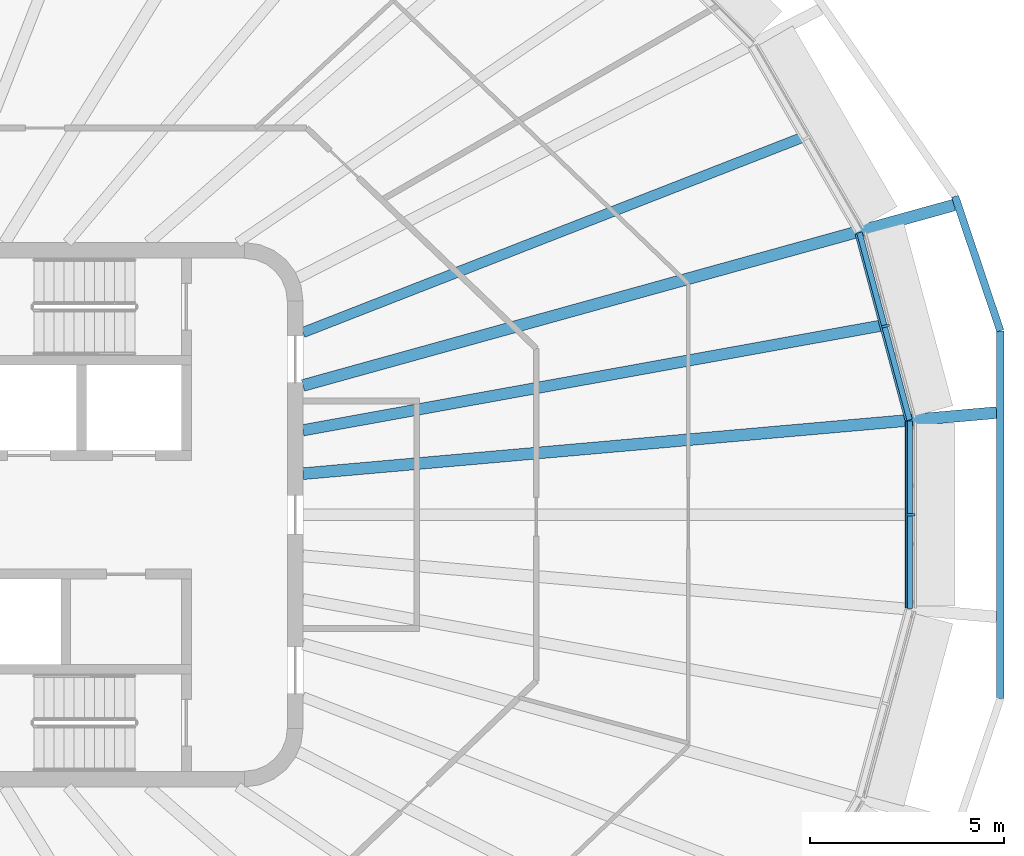
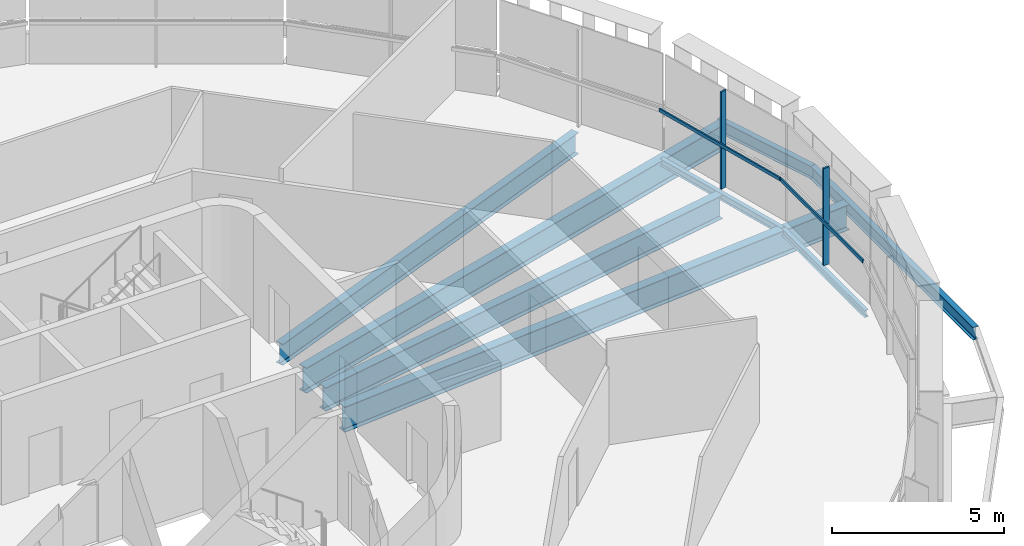
# One storey, part 5 of 18: 8 beams, 4 members, 2 elements without a shape of their own.
"""IFC4 building model written with IfcOpenShell, lengths in metres."""

from ifc_helpers import new_model, si_unit, direction, frame, origin, origin_2d, place, context, subcontext, project, spatial, rectangle, i_section, extrude, material, layer, layer_set, material_profile, profile_set, type_object, element, aggregate, save


model = new_model("IFC4")

# Units and contexts
model_context = context("Model", 3, precision=1e-05, world=origin(), true_north=direction((0.0, 1.0)))
body_context = subcontext(model_context, "Body", "Model", "MODEL_VIEW")
ifc_project = project(units=[si_unit("LENGTHUNIT", "METRE"), si_unit("AREAUNIT", "SQUARE_METRE"), si_unit("VOLUMEUNIT", "CUBIC_METRE"), si_unit("PLANEANGLEUNIT", "RADIAN"), si_unit("MASSUNIT", "GRAM", prefix="KILO")], contexts=[model_context])

# Site, building, storey
site_placement = place(None, origin())
site = spatial("IfcSite", under=ifc_project, at=site_placement, CompositionType="ELEMENT")
building_placement = place(site_placement, origin())
building = spatial("IfcBuilding", under=site, at=building_placement, Name="Sahrelin Media Tower", CompositionType="ELEMENT")
storey_placement = place(building_placement, frame((0.0, 0.0, 295.0)))
storey = spatial("IfcBuildingStorey", under=building, at=storey_placement, Name="L65", CompositionType="ELEMENT", Elevation=295.0)

# Beams
ifc_material_1 = material(Name="Steel S355", Category="steel")
ifc_material_profile_1 = material_profile(ifc_material_1, i_section(OverallWidth=0.14599609375, OverallDepth=0.25146484375, WebThickness=0.006103515625, FlangeThickness=0.008544921875, FilletRadius=0.007568359375, at=origin_2d()), Name="UB 254x146x31")
ifc_profile_set_1 = profile_set([ifc_material_profile_1], Name="Steel S355")
beam_type_1 = type_object("IfcBeamType", Name="Edge beam EB1", PredefinedType="BEAM", material=ifc_profile_set_1)
beam_1_placement = place(storey_placement, frame((27.606689453125, 2.409912109375, -0.275634765625), z_axis=(0.0, -1.0, 0.0), x_axis=(1.0, 0.0, 0.0)))
element("IfcBeam", 1, at=beam_1_placement, inside=storey, type_object=beam_type_1, Name="Edge beam L65-01", PredefinedType="BEAM", context=body_context, shape_type="SweptSolid", body=[
    extrude(i_section(OverallWidth=0.14599609375, OverallDepth=0.25146484375, WebThickness=0.006103515625, FlangeThickness=0.008544921875, FilletRadius=0.007568359375, at=origin_2d()), origin(), (0.0, 0.0, 1.0), 4.81982421875),
])
beam_2_placement = place(storey_placement, frame((26.3115234375, 7.257568359375, -0.275634765625), z_axis=(0.258816802919, -0.965926427078, 0.0), x_axis=(0.965926427078, 0.258816802919, 0.0)))
element("IfcBeam", 2, at=beam_2_placement, inside=storey, type_object=beam_type_1, Name="Edge beam L65-24", PredefinedType="BEAM", context=body_context, shape_type="SweptSolid", body=[
    extrude(i_section(OverallWidth=0.14599609375, OverallDepth=0.25146484375, WebThickness=0.006103515625, FlangeThickness=0.008544921875, FilletRadius=0.007568359375, at=origin_2d()), origin(), (0.0, 0.0, 1.0), 4.989013671875),
])

# Curtain wall, member
ifc_material_2 = material(Name="Champagne anodised aluminium 6063-T6", Category="aluminium")
ifc_layer = layer(ifc_material_2, 0.14990234375)
ifc_layer_set = layer_set([ifc_layer], Name="Tower ribbon curtain wall")
curtain_wall_type = type_object("IfcCurtainWallType", Name="Tower ribbon curtain wall", PredefinedType="NOTDEFINED", material=ifc_layer_set)
curtain_wall_1_placement = place(storey_placement, frame((27.756591796875, 0.0, 0.0), z_axis=(0.0, 0.0, 1.0), x_axis=(1.0, 0.0, 0.0)))
curtain_wall_1 = element("IfcCurtainWall", 3, at=curtain_wall_1_placement, inside=storey, type_object=curtain_wall_type, Name="L65:CW:L65-00", PredefinedType="NOTDEFINED")
ifc_material_profile_2 = material_profile(ifc_material_2, rectangle(XDim=0.06005859375, YDim=0.199951171875, at=origin_2d()), Name="Mullion 60x200")
ifc_profile_set_2 = profile_set([ifc_material_profile_2], Name="Champagne anodised aluminium 6063-T6")
member_type_1 = type_object("IfcMemberType", Name="Mullion 60x200 CW1C", PredefinedType="MULLION", material=ifc_profile_set_2)
member_1_placement = place(storey_placement, frame((27.63671875, 0.0, 0.0), z_axis=(0.0, 0.0, 1.0), x_axis=(0.0, 1.0, 0.0)))
member_1 = element("IfcMember", 4, at=member_1_placement, type_object=member_type_1, Name="L65:CWM:L65-00", PredefinedType="MULLION", context=body_context, shape_type="SweptSolid", body=[
    extrude(rectangle(XDim=0.06005859375, YDim=0.199951171875, at=origin_2d()), origin(), (0.0, 0.0, 1.0), 3.448486328125),
])

curtain_wall_2_placement = place(storey_placement, frame((27.10205078125, 4.88671875, 0.0), z_axis=(0.0, 0.0, 1.0), x_axis=(1.0, 0.0, 0.0)))
curtain_wall_2 = element("IfcCurtainWall", 5, at=curtain_wall_2_placement, inside=storey, type_object=curtain_wall_type, Name="L65:CW:L65-01", PredefinedType="NOTDEFINED")
member_2_placement = place(storey_placement, frame((26.986083984375, 4.855712890625, 0.0), z_axis=(0.0, 0.0, 1.0), x_axis=(-0.258817359244, 0.965926278012, 0.0)))
member_2 = element("IfcMember", 6, at=member_2_placement, type_object=member_type_1, Name="L65:CWM:L65-01", PredefinedType="MULLION", context=body_context, shape_type="SweptSolid", body=[
    extrude(rectangle(XDim=0.06005859375, YDim=0.199951171875, at=origin_2d()), origin(), (0.0, 0.0, 1.0), 3.448486328125),
])

# Beams
ifc_material_profile_3 = material_profile(ifc_material_1, i_section(OverallWidth=0.30322265625, OverallDepth=0.903076171875, WebThickness=0.01513671875, FlangeThickness=0.020263671875, FilletRadius=0.01904296875, at=origin_2d()), Name="UB 914x305x201")
ifc_profile_set_3 = profile_set([ifc_material_profile_3], Name="Steel S355")
beam_type_2 = type_object("IfcBeamType", Name="Radial primary beam PB11", PredefinedType="BEAM", material=ifc_profile_set_3)
beam_3_placement = place(storey_placement, frame((12.0, 1.056640625, -0.6015625), z_axis=(0.996145419637, 0.087717175831, 0.0), x_axis=(-0.087717175831, 0.996145419637, 0.0)))
element("IfcBeam", 7, at=beam_3_placement, inside=storey, type_object=beam_type_2, Name="Radial beam L65-01", PredefinedType="BEAM", context=body_context, shape_type="SweptSolid", body=[
    extrude(i_section(OverallWidth=0.30322265625, OverallDepth=0.903076171875, WebThickness=0.01513671875, FlangeThickness=0.020263671875, FilletRadius=0.01904296875, at=origin_2d()), origin(), (0.0, 0.0, 1.0), 17.910400390625),
])
beam_4_placement = place(storey_placement, frame((12.0, 3.32568359375, -0.6015625), z_axis=(0.963677748892, 0.267067774713, 0.0), x_axis=(-0.267067774713, 0.963677748892, 0.0)))
element("IfcBeam", 8, at=beam_4_placement, inside=storey, type_object=beam_type_2, Name="Radial beam L65-02", PredefinedType="BEAM", context=body_context, shape_type="SweptSolid", body=[
    extrude(i_section(OverallWidth=0.30322265625, OverallDepth=0.903076171875, WebThickness=0.01513671875, FlangeThickness=0.020263671875, FilletRadius=0.01904296875, at=origin_2d()), origin(), (0.0, 0.0, 1.0), 17.3779296875),
])
ifc_material_profile_4 = material_profile(ifc_material_1, i_section(OverallWidth=0.291748046875, OverallDepth=0.8349609375, WebThickness=0.013916015625, FlangeThickness=0.018798828125, FilletRadius=0.017822265625, at=origin_2d()), Name="UB 838x292x176")
ifc_profile_set_4 = profile_set([ifc_material_profile_4], Name="Steel S355")
beam_type_3 = type_object("IfcBeamType", Name="Radial secondary beam SB10", PredefinedType="BEAM", material=ifc_profile_set_4)
beam_5_placement = place(storey_placement, frame((12.0, 2.17236328125, -0.5673828125), z_axis=(0.984006815863, 0.178130812423, 0.0), x_axis=(-0.178130812423, 0.984006815863, 0.0)))
element("IfcBeam", 9, at=beam_5_placement, inside=storey, type_object=beam_type_3, Name="Secondary beam L65-01", PredefinedType="BEAM", context=body_context, shape_type="SweptSolid", body=[
    extrude(i_section(OverallWidth=0.291748046875, OverallDepth=0.8349609375, WebThickness=0.013916015625, FlangeThickness=0.018798828125, FilletRadius=0.017822265625, at=origin_2d()), origin(), (0.0, 0.0, 1.0), 15.11865234375),
])
ifc_material_profile_5 = material_profile(ifc_material_1, i_section(OverallWidth=0.26513671875, OverallDepth=0.75390625, WebThickness=0.0126953125, FlangeThickness=0.017578125, FilletRadius=0.0166015625, at=origin_2d()), Name="UB 762x267x147")
ifc_profile_set_5 = profile_set([ifc_material_profile_5], Name="Steel S355")
beam_type_4 = type_object("IfcBeamType", Name="Radial secondary beam SB9", PredefinedType="BEAM", material=ifc_profile_set_5)
beam_6_placement = place(storey_placement, frame((12.0, 4.68798828125, -0.527099609375), z_axis=(0.931449737277, 0.363870013777, 0.0), x_axis=(-0.363870013777, 0.931449737277, 0.0)))
element("IfcBeam", 10, at=beam_6_placement, inside=storey, type_object=beam_type_4, Name="Secondary beam L65-02", PredefinedType="BEAM", context=body_context, shape_type="SweptSolid", body=[
    extrude(i_section(OverallWidth=0.26513671875, OverallDepth=0.75390625, WebThickness=0.0126953125, FlangeThickness=0.017578125, FilletRadius=0.0166015625, at=origin_2d()), origin(), (0.0, 0.0, 1.0), 13.75732421875),
])
ifc_material_profile_6 = material_profile(ifc_material_1, i_section(OverallWidth=0.1904296875, OverallDepth=0.45703125, WebThickness=0.009033203125, FlangeThickness=0.014404296875, FilletRadius=0.01025390625, at=origin_2d()), Name="UB 457x191x74")
ifc_profile_set_6 = profile_set([ifc_material_profile_6], Name="Steel S355")
beam_type_5 = type_object("IfcBeamType", Name="Tie chord TC5", PredefinedType="BEAM", material=ifc_profile_set_6)
beam_7_placement = place(storey_placement, frame((29.9365234375, 4.72998046875, -0.37841796875), z_axis=(-0.318894557545, 0.94779019892, 0.0), x_axis=(-0.94779019892, -0.318894557545, 0.0)))
element("IfcBeam", 11, at=beam_7_placement, inside=storey, type_object=beam_type_5, Name="Tie chord L65-01", PredefinedType="BEAM", context=body_context, shape_type="SweptSolid", body=[
    extrude(i_section(OverallWidth=0.1904296875, OverallDepth=0.45703125, WebThickness=0.009033203125, FlangeThickness=0.014404296875, FilletRadius=0.01025390625, at=origin_2d()), origin(), (0.0, 0.0, 1.0), 3.651123046875),
])
beam_8_placement = place(storey_placement, frame((29.9365234375, -4.72998046875, -0.37841796875), z_axis=(0.0, 1.0, 0.0), x_axis=(-1.0, 0.0, 0.0)))
element("IfcBeam", 12, at=beam_8_placement, inside=storey, type_object=beam_type_5, Name="Tie chord L65-24", PredefinedType="BEAM", context=body_context, shape_type="SweptSolid", body=[
    extrude(i_section(OverallWidth=0.1904296875, OverallDepth=0.45703125, WebThickness=0.009033203125, FlangeThickness=0.014404296875, FilletRadius=0.01025390625, at=origin_2d()), origin(), (0.0, 0.0, 1.0), 9.4599609375),
])

# Member
ifc_material_profile_7 = material_profile(ifc_material_2, rectangle(XDim=0.050048828125, YDim=0.1201171875, at=origin_2d()), Name="Transom 50x120")
ifc_profile_set_7 = profile_set([ifc_material_profile_7], Name="Champagne anodised aluminium 6063-T6")
member_type_2 = type_object("IfcMemberType", Name="Transom 50x120 CW1C", PredefinedType="USERDEFINED", material=ifc_profile_set_7)
member_3_placement = place(storey_placement, frame((27.51171875, -2.394287109375, 1.60009765625), z_axis=(0.0, 1.0, 0.0), x_axis=(-1.0, 0.0, 0.0)))
member_3 = element("IfcMember", 13, at=member_3_placement, type_object=member_type_2, Name="L65:CWT:L65-00", ObjectType="TRANSOM", PredefinedType="USERDEFINED", context=body_context, shape_type="SweptSolid", body=[
    extrude(rectangle(XDim=0.050048828125, YDim=0.1201171875, at=origin_2d()), origin(), (0.0, 0.0, 1.0), 4.78857421875),
])

aggregate(curtain_wall_1, [member_1, member_3])

member_4_placement = place(storey_placement, frame((27.507080078125, 2.42919921875, 1.60009765625), z_axis=(-0.258839470569, 0.96592035307, 0.0), x_axis=(-0.96592035307, -0.258839470569, 0.0)))
member_4 = element("IfcMember", 14, at=member_4_placement, type_object=member_type_2, Name="L65:CWT:L65-01", ObjectType="TRANSOM", PredefinedType="USERDEFINED", context=body_context, shape_type="SweptSolid", body=[
    extrude(rectangle(XDim=0.050048828125, YDim=0.1201171875, at=origin_2d()), origin(), (0.0, 0.0, 1.0), 4.95751953125),
])

aggregate(curtain_wall_2, [member_2, member_4])

save(model, "model.ifc")
